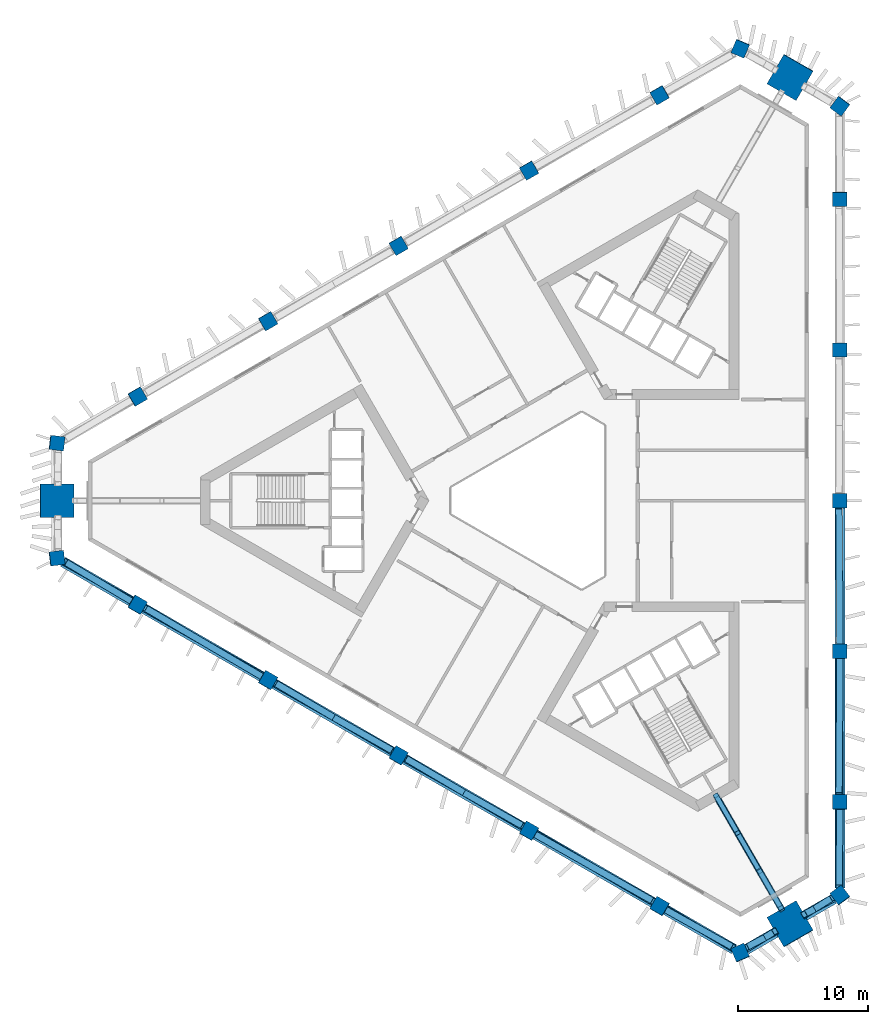
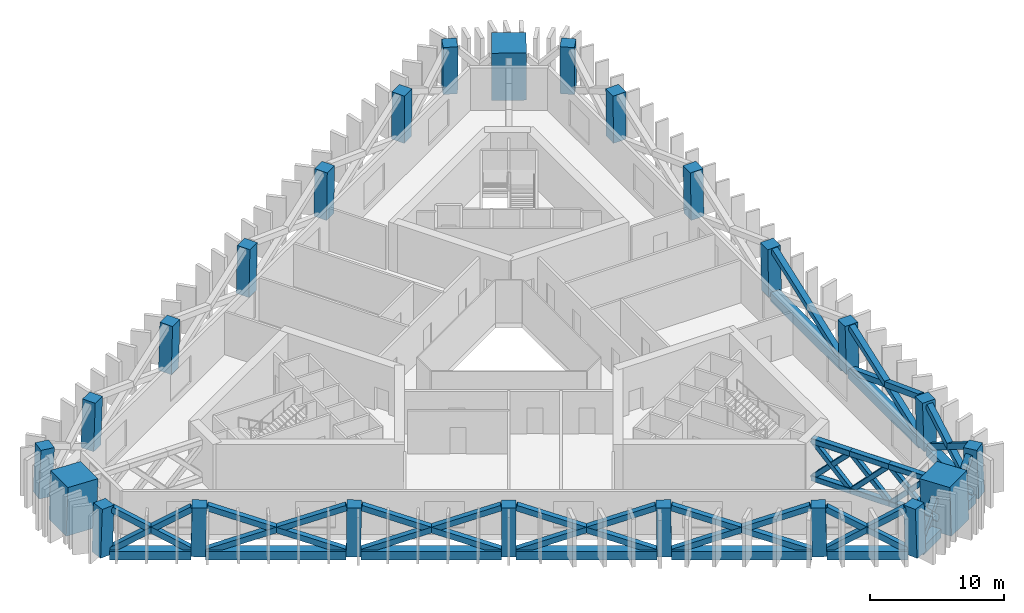
# One storey, part 1 of 9: 44 members, 24 columns.
"""IFC4 building model written with IfcOpenShell, lengths in metres."""

from ifc_helpers import new_model, si_unit, direction, frame, origin, origin_2d, place, context, subcontext, project, spatial, rectangle, hollow_rectangle, extrude, material, material_profile, profile_set, type_object, element, save


model = new_model("IFC4")

# Units and contexts
model_context = context("Model", 3, precision=1e-05, world=origin(), true_north=direction((0.0, 1.0)))
body_context = subcontext(model_context, "Body", "Model", "MODEL_VIEW")
ifc_project = project(units=[si_unit("LENGTHUNIT", "METRE"), si_unit("AREAUNIT", "SQUARE_METRE"), si_unit("VOLUMEUNIT", "CUBIC_METRE"), si_unit("PLANEANGLEUNIT", "RADIAN"), si_unit("MASSUNIT", "GRAM", prefix="KILO")], contexts=[model_context])

# Site, building, storey
site_placement = place(None, origin())
site = spatial("IfcSite", under=ifc_project, at=site_placement, CompositionType="ELEMENT")
building_placement = place(site_placement, origin())
building = spatial("IfcBuilding", under=site, at=building_placement, Name="Jabali Bay Hotel Tower and Convention Centre", CompositionType="ELEMENT")
storey_placement = place(building_placement, frame((0.0, 0.0, 98.0)))
storey = spatial("IfcBuildingStorey", under=building, at=storey_placement, Name="L23", CompositionType="ELEMENT", Elevation=98.0)

# Columns
ifc_material_1 = material(Name="Concrete C60", Category="concrete")
ifc_material_profile_1 = material_profile(ifc_material_1, rectangle(XDim=1.10009765625, YDim=1.10009765625, at=origin_2d()), Name="Frame column 1100")
ifc_profile_set_1 = profile_set([ifc_material_profile_1], Name="Concrete C60")
column_type_1 = type_object("IfcColumnType", Name="Frame column 1100", PredefinedType="COLUMN", material=ifc_profile_set_1)
column_1_placement = place(storey_placement, frame((83.779052734375, 111.25390625, 0.0), z_axis=(-0.00837502794, -0.028175590684, 0.999567904145), x_axis=(0.865765950858, 0.499993595999, 0.021347653165)))
element("IfcColumn", 1, at=column_1_placement, inside=storey, type_object=column_type_1, Name="FC2 F1.1 L23", PredefinedType="COLUMN", context=body_context, shape_type="SweptSolid", body=[
    extrude(rectangle(XDim=1.10009765625, YDim=1.10009765625, at=origin_2d()), origin(), (0.0, 0.0, 1.0), 4.40185546875),
])
column_2_placement = place(storey_placement, frame((73.72021484375, 105.446533203125, 0.0), z_axis=(0.000832098362, -0.022854968331, 0.999738444812), x_axis=(0.866635753138, 0.498826982969, 0.01068234273)))
element("IfcColumn", 2, at=column_2_placement, inside=storey, type_object=column_type_1, Name="FC2 F1.2 L23", PredefinedType="COLUMN", context=body_context, shape_type="SweptSolid", body=[
    extrude(rectangle(XDim=1.10009765625, YDim=1.10009765625, at=origin_2d()), origin(), (0.0, 0.0, 1.0), 4.401123046875),
])
column_3_placement = place(storey_placement, frame((63.661376953125, 99.638916015625, 0.0), z_axis=(0.010096711238, -0.017475077143, 0.999796318307), x_axis=(0.865862358291, 0.500282296803, 1.09549e-07)))
element("IfcColumn", 3, at=column_3_placement, inside=storey, type_object=column_type_1, Name="FC2 F1.3 L23", PredefinedType="COLUMN", context=body_context, shape_type="SweptSolid", body=[
    extrude(rectangle(XDim=1.10009765625, YDim=1.10009765625, at=origin_2d()), origin(), (0.0, 0.0, 1.0), 4.40087890625),
])
column_4_placement = place(storey_placement, frame((53.6025390625, 93.83154296875, 0.0), z_axis=(0.019360161379, -0.012148639948, 0.999738763227), x_axis=(-0.500505187473, 0.865497615784, 0.020209759643)))
element("IfcColumn", 4, at=column_4_placement, inside=storey, type_object=column_type_1, Name="FC2 F1.4 L23", PredefinedType="COLUMN", context=body_context, shape_type="SweptSolid", body=[
    extrude(rectangle(XDim=1.10009765625, YDim=1.10009765625, at=origin_2d()), origin(), (0.0, 0.0, 1.0), 4.401123046875),
])
for number, where, z_axis, x_axis, name in (
    (5, (43.5439453125, 88.024169921875, 0.0), (0.028563859463, -0.006822047988, 0.999568689783), (-0.499616168362, 0.866011629978, 0.020187646054), "FC2 F1.5 L23"),
    (6, (43.5439453125, 71.975830078125, 0.0), (0.028563859463, 0.006822047988, 0.999568689783), (-0.865775831404, 0.499977315889, 0.021328229016), "FC2 F2.1 L23"),
):
    element("IfcColumn", number, at=place(storey_placement, frame(where, z_axis=z_axis, x_axis=x_axis)), inside=storey, type_object=column_type_1, Name=name, PredefinedType="COLUMN", context=body_context, shape_type="SweptSolid", body=[
        extrude(rectangle(XDim=1.10009765625, YDim=1.10009765625, at=origin_2d()), origin(), (0.0, 0.0, 1.0), 4.40185546875),
    ])
column_5_placement = place(storey_placement, frame((53.6025390625, 66.16845703125, 0.0), z_axis=(0.019360161379, 0.012148639948, 0.999738763227), x_axis=(-0.865517037073, 0.500765701322, 0.0106757162)))
element("IfcColumn", 7, at=column_5_placement, inside=storey, type_object=column_type_1, Name="FC2 F2.2 L23", PredefinedType="COLUMN", context=body_context, shape_type="SweptSolid", body=[
    extrude(rectangle(XDim=1.10009765625, YDim=1.10009765625, at=origin_2d()), origin(), (0.0, 0.0, 1.0), 4.401123046875),
])
column_6_placement = place(storey_placement, frame((63.661376953125, 60.361083984375, 0.0), z_axis=(0.010096711238, 0.017475077143, 0.999796318307), x_axis=(-0.500180400372, -0.865685996874, 0.020182217394)))
element("IfcColumn", 8, at=column_6_placement, inside=storey, type_object=column_type_1, Name="FC2 F2.3 L23", PredefinedType="COLUMN", context=body_context, shape_type="SweptSolid", body=[
    extrude(rectangle(XDim=1.10009765625, YDim=1.10009765625, at=origin_2d()), origin(), (0.0, 0.0, 1.0), 4.40087890625),
])
column_7_placement = place(storey_placement, frame((73.72021484375, 54.553466796875, 0.0), z_axis=(0.000832098362, 0.022854968331, 0.999738444812), x_axis=(-0.498940656788, -0.8664001913, 0.020222005808)))
element("IfcColumn", 9, at=column_7_placement, inside=storey, type_object=column_type_1, Name="FC2 F2.4 L23", PredefinedType="COLUMN", context=body_context, shape_type="SweptSolid", body=[
    extrude(rectangle(XDim=1.10009765625, YDim=1.10009765625, at=origin_2d()), origin(), (0.0, 0.0, 1.0), 4.401123046875),
])
for number, where, z_axis, x_axis, name in (
    (10, (83.779052734375, 48.74609375, 0.0), (-0.00837502794, 0.028175590684, 0.999567904145), (-0.500379033576, -0.865570644171, 0.020206006723), "FC2 F2.5 L23"),
    (11, (97.67724609375, 56.770263671875, 0.0), (-0.020188837424, 0.021298114205, 0.99956930784), (0.000520419206, -0.999772717632, 0.021312959503), "FC2 F0.1 L23"),
):
    element("IfcColumn", number, at=place(storey_placement, frame(where, z_axis=z_axis, x_axis=x_axis)), inside=storey, type_object=column_type_1, Name=name, PredefinedType="COLUMN", context=body_context, shape_type="SweptSolid", body=[
        extrude(rectangle(XDim=1.10009765625, YDim=1.10009765625, at=origin_2d()), origin(), (0.0, 0.0, 1.0), 4.40185546875),
    ])
column_8_placement = place(storey_placement, frame((97.67724609375, 68.38525390625, 0.0), z_axis=(-0.020192272495, 0.010650869008, 0.999739381599), x_axis=(0.000491791612, -0.999943027966, 0.010662971563)))
element("IfcColumn", 12, at=column_8_placement, inside=storey, type_object=column_type_1, Name="FC2 F0.2 L23", PredefinedType="COLUMN", context=body_context, shape_type="SweptSolid", body=[
    extrude(rectangle(XDim=1.10009765625, YDim=1.10009765625, at=origin_2d()), origin(), (0.0, 0.0, 1.0), 4.401123046875),
])
column_9_placement = place(storey_placement, frame((97.67724609375, 80.0, 0.0), z_axis=(-0.020193417908, 0.0, 0.999796092147), x_axis=(0.0, -1.0, 0.0)))
element("IfcColumn", 13, at=column_9_placement, inside=storey, type_object=column_type_1, Name="FC2 F0.3 L23", PredefinedType="COLUMN", context=body_context, shape_type="SweptSolid", body=[
    extrude(rectangle(XDim=1.10009765625, YDim=1.10009765625, at=origin_2d()), origin(), (0.0, 0.0, 1.0), 4.40087890625),
])
column_10_placement = place(storey_placement, frame((97.67724609375, 91.61474609375, 0.0), z_axis=(-0.020192272495, -0.010650869008, 0.999739381599), x_axis=(0.999795994327, -0.000706973069, 0.020185884092)))
element("IfcColumn", 14, at=column_10_placement, inside=storey, type_object=column_type_1, Name="FC2 F0.4 L23", PredefinedType="COLUMN", context=body_context, shape_type="SweptSolid", body=[
    extrude(rectangle(XDim=1.10009765625, YDim=1.10009765625, at=origin_2d()), origin(), (0.0, 0.0, 1.0), 4.401123046875),
])
column_11_placement = place(storey_placement, frame((97.67724609375, 103.229736328125, 0.0), z_axis=(-0.020188837424, -0.021298114205, 0.99956930784), x_axis=(0.999796049206, -0.00095047894, 0.020173164909)))
element("IfcColumn", 15, at=column_11_placement, inside=storey, type_object=column_type_1, Name="FC2 F0.5 L23", PredefinedType="COLUMN", context=body_context, shape_type="SweptSolid", body=[
    extrude(rectangle(XDim=1.10009765625, YDim=1.10009765625, at=origin_2d()), origin(), (0.0, 0.0, 1.0), 4.40185546875),
])
for number, where, z_axis, x_axis, name in (
    (16, (97.67724609375, 49.5888671875, 0.0), (-0.020184923639, 0.029001964459, 0.999375532478), (-0.801547401216, -0.597930106059, 0.001162700667), "FC2 V0 L23"),
    (17, (97.67724609375, 110.4111328125, 0.0), (-0.020184923639, -0.029001964459, 0.999375532478), (0.597590438731, 0.801023391872, 0.035315622775), "FC2 V1 L23"),
    (18, (89.998291015625, 114.844482421875, 0.0), (-0.015027805225, -0.031941017747, 0.999376774022), (0.91836352509, -0.395736132679, 0.001161497219), "FC2 V2 L23"),
    (19, (37.324462890625, 84.433349609375, 0.0), (0.035212709707, -0.002939013566, 0.999375518649), (-0.992636858335, 0.11586563907, 0.035316018417), "FC2 V3 L23"),
    (20, (37.324462890625, 75.566650390625, 0.0), (0.035212709707, 0.002939013566, 0.999375518649), (-0.115897077396, 0.993260547833, 0.001162569921), "FC2 V4 L23"),
    (21, (89.998291015625, 45.155517578125, 0.0), (-0.015027805225, 0.031941017747, 0.999376774022), (0.395452400238, -0.917808631839, 0.035280511175), "FC2 V5 L23"),
):
    element("IfcColumn", number, at=place(storey_placement, frame(where, z_axis=z_axis, x_axis=x_axis)), inside=storey, type_object=column_type_1, Name=name, PredefinedType="COLUMN", context=body_context, shape_type="SweptSolid", body=[
        extrude(rectangle(XDim=1.10009765625, YDim=1.10009765625, at=origin_2d()), origin(), (0.0, 0.0, 1.0), 4.402587890625),
    ])
ifc_material_2 = material(Name="Concrete C70", Category="concrete")
ifc_material_profile_2 = material_profile(ifc_material_2, rectangle(XDim=2.60009765625, YDim=2.60009765625, at=origin_2d()), Name="Mega column 2600")
ifc_profile_set_2 = profile_set([ifc_material_profile_2], Name="Concrete C70")
column_type_2 = type_object("IfcColumnType", Name="Mega column 2600", PredefinedType="COLUMN", material=ifc_profile_set_2)
for number, where, z_axis, x_axis, name in (
    (22, (93.837646484375, 112.6279296875, 0.0), (-0.01757871061, -0.030499340175, 0.999380197514), (0.866397254159, -0.499355382454, 1.37011e-07), "MC2 M1 L23"),
    (23, (37.324462890625, 80.0, 0.0), (0.035212861788, 0.0, 0.99937983488), (0.0, 1.0, 0.0), "MC2 M0 L23"),
    (24, (93.837646484375, 47.3720703125, 0.0), (-0.01757871061, 0.030499340175, 0.999380197514), (0.499045876567, -0.865860261395, 0.035202568341), "MC2 M2 L23"),
):
    element("IfcColumn", number, at=place(storey_placement, frame(where, z_axis=z_axis, x_axis=x_axis)), inside=storey, type_object=column_type_2, Name=name, PredefinedType="COLUMN", context=body_context, shape_type="SweptSolid", body=[
        extrude(rectangle(XDim=2.60009765625, YDim=2.60009765625, at=origin_2d()), origin(), (0.0, 0.0, 1.0), 4.402587890625),
    ])

# Members
ifc_material_3 = material(Name="Steel Q420GJC", Category="steel")
ifc_material_profile_3 = material_profile(ifc_material_3, hollow_rectangle(XDim=0.5, YDim=0.5, WallThickness=0.030029296875, at=origin_2d()), Name="Belt brace 500x500x30")
ifc_profile_set_3 = profile_set([ifc_material_profile_3], Name="Steel Q420GJC")
member_type_1 = type_object("IfcMemberType", Name="Belt brace 500x500x30", PredefinedType="BRACE", material=ifc_profile_set_3)
member_1_placement = place(storey_placement, frame((37.80419921875, 75.29736328125, 0.33251953125), z_axis=(0.746228180201, -0.418746991963, 0.517488608373), x_axis=(0.489367580593, 0.872077617569, 0.0)))
element("IfcMember", 25, at=member_1_placement, inside=storey, type_object=member_type_1, Name="Belt brace T2 V4-F2.1 x1", PredefinedType="BRACE", context=body_context, shape_type="SweptSolid", body=[
    extrude(hollow_rectangle(XDim=0.5, YDim=0.5, WallThickness=0.030029296875, at=origin_2d()), origin(), (0.0, 0.0, 1.0), 7.21728515625),
])
member_2_placement = place(storey_placement, frame((43.071044921875, 72.2568359375, 0.343017578125), z_axis=(-0.729399028165, 0.433478579173, 0.529219594412), x_axis=(-0.510885438938, -0.859648805199, 0.0)))
element("IfcMember", 26, at=member_2_placement, inside=storey, type_object=member_type_1, Name="Belt brace T2 V4-F2.1 x2", PredefinedType="BRACE", context=body_context, shape_type="SweptSolid", body=[
    extrude(hollow_rectangle(XDim=0.5, YDim=0.5, WallThickness=0.030029296875, at=origin_2d()), origin(), (0.0, 0.0, 1.0), 7.017578125),
])
member_3_placement = place(storey_placement, frame((44.022216796875, 71.70458984375, 0.20751953125), z_axis=(0.813809243817, -0.461641565732, 0.352989489173), x_axis=(0.49340327292, 0.869800672724, 0.0)))
element("IfcMember", 27, at=member_3_placement, inside=storey, type_object=member_type_1, Name="Belt brace T2 F2.1-F2.2 x1", PredefinedType="BRACE", context=body_context, shape_type="SweptSolid", body=[
    extrude(hollow_rectangle(XDim=0.5, YDim=0.5, WallThickness=0.030029296875, at=origin_2d()), origin(), (0.0, 0.0, 1.0), 11.288818359375),
])
member_4_placement = place(storey_placement, frame((53.12841796875, 66.447021484375, 0.2099609375), z_axis=(-0.805399021155, 0.473334149331, 0.356773317107), x_axis=(-0.506678137464, -0.862135293916, 0.0)))
element("IfcMember", 28, at=member_4_placement, inside=storey, type_object=member_type_1, Name="Belt brace T2 F2.1-F2.2 x2", PredefinedType="BRACE", context=body_context, shape_type="SweptSolid", body=[
    extrude(hollow_rectangle(XDim=0.5, YDim=0.5, WallThickness=0.030029296875, at=origin_2d()), origin(), (0.0, 0.0, 1.0), 11.155517578125),
])
member_5_placement = place(storey_placement, frame((54.0810546875, 65.89697265625, 0.208251953125), z_axis=(0.813419956754, -0.461359189117, 0.354253683921), x_axis=(0.493353477364, 0.869828917876, 0.0)))
element("IfcMember", 29, at=member_5_placement, inside=storey, type_object=member_type_1, Name="Belt brace T2 F2.2-F2.3 x1", PredefinedType="BRACE", context=body_context, shape_type="SweptSolid", body=[
    extrude(hollow_rectangle(XDim=0.5, YDim=0.5, WallThickness=0.030029296875, at=origin_2d()), origin(), (0.0, 0.0, 1.0), 11.244384765625),
])
for number, where, z_axis, x_axis, name in (
    (30, (63.187255859375, 60.6396484375, 0.209228515625), (-0.805835633176, 0.473543964919, 0.355506744792), (-0.506640934774, -0.86215715691, 0.0), "Belt brace T2 F2.2-F2.3 x2"),
    (31, (64.139892578125, 60.089599609375, 0.209228515625), (0.813016816148, -0.461102627878, 0.355510932637), (0.49333088762, 0.869841730041, 0.0), "Belt brace T2 F2.3-F2.4 x1"),
):
    element("IfcMember", number, at=place(storey_placement, frame(where, z_axis=z_axis, x_axis=x_axis)), inside=storey, type_object=member_type_1, Name=name, PredefinedType="BRACE", context=body_context, shape_type="SweptSolid", body=[
        extrude(hollow_rectangle(XDim=0.5, YDim=0.5, WallThickness=0.030029296875, at=origin_2d()), origin(), (0.0, 0.0, 1.0), 11.199951171875),
    ])
member_6_placement = place(storey_placement, frame((73.24609375, 54.832275390625, 0.208251953125), z_axis=(-0.806267320447, 0.473751257093, 0.354249565111), x_axis=(-0.5066040639, -0.862178822774, 0.0)))
element("IfcMember", 32, at=member_6_placement, inside=storey, type_object=member_type_1, Name="Belt brace T2 F2.3-F2.4 x2", PredefinedType="BRACE", context=body_context, shape_type="SweptSolid", body=[
    extrude(hollow_rectangle(XDim=0.5, YDim=0.5, WallThickness=0.030029296875, at=origin_2d()), origin(), (0.0, 0.0, 1.0), 11.24462890625),
])
member_7_placement = place(storey_placement, frame((74.198486328125, 54.2822265625, 0.2099609375), z_axis=(0.812616399817, -0.460834976999, 0.356771230234), x_axis=(0.49329804104, 0.869860358164, 0.0)))
element("IfcMember", 33, at=member_7_placement, inside=storey, type_object=member_type_1, Name="Belt brace T2 F2.4-F2.5 x1", PredefinedType="BRACE", context=body_context, shape_type="SweptSolid", body=[
    extrude(hollow_rectangle(XDim=0.5, YDim=0.5, WallThickness=0.030029296875, at=origin_2d()), origin(), (0.0, 0.0, 1.0), 11.155517578125),
])
member_8_placement = place(storey_placement, frame((83.3046875, 49.024658203125, 0.20751953125), z_axis=(-0.806685208431, 0.473976220589, 0.352995066274), x_axis=(-0.506587711798, -0.862188430829, 0.0)))
element("IfcMember", 34, at=member_8_placement, inside=storey, type_object=member_type_1, Name="Belt brace T2 F2.4-F2.5 x2", PredefinedType="BRACE", context=body_context, shape_type="SweptSolid", body=[
    extrude(hollow_rectangle(XDim=0.5, YDim=0.5, WallThickness=0.030029296875, at=origin_2d()), origin(), (0.0, 0.0, 1.0), 11.288818359375),
])
member_9_placement = place(storey_placement, frame((84.2587890625, 48.47705078125, 0.343017578125), z_axis=(0.74009327792, -0.414943474157, 0.529229490138), x_axis=(0.489044052531, 0.872259086903, 0.0)))
element("IfcMember", 35, at=member_9_placement, inside=storey, type_object=member_type_1, Name="Belt brace T2 F2.5-V5 x1", PredefinedType="BRACE", context=body_context, shape_type="SweptSolid", body=[
    extrude(hollow_rectangle(XDim=0.5, YDim=0.5, WallThickness=0.030029296875, at=origin_2d()), origin(), (0.0, 0.0, 1.0), 7.017578125),
])
member_10_placement = place(storey_placement, frame((89.525390625, 45.436279296875, 0.33251953125), z_axis=(-0.735778033466, 0.436846008192, 0.517490338649), x_axis=(-0.510519573034, -0.859866132342, 0.0)))
element("IfcMember", 36, at=member_10_placement, inside=storey, type_object=member_type_1, Name="Belt brace T2 F2.5-V5 x2", PredefinedType="BRACE", context=body_context, shape_type="SweptSolid", body=[
    extrude(hollow_rectangle(XDim=0.5, YDim=0.5, WallThickness=0.030029296875, at=origin_2d()), origin(), (0.0, 0.0, 1.0), 7.21728515625),
])
member_11_placement = place(storey_placement, frame((90.464599609375, 45.44677734375, 0.54541015625), z_axis=(0.602075132587, 0.376271823928, 0.704219460992), x_axis=(-0.529973483014, 0.848014214092, 0.0)))
element("IfcMember", 37, at=member_11_placement, inside=storey, type_object=member_type_1, Name="Belt brace T2 V5-M2 x1", PredefinedType="BRACE", context=body_context, shape_type="SweptSolid", body=[
    extrude(hollow_rectangle(XDim=0.5, YDim=0.5, WallThickness=0.030029296875, at=origin_2d()), origin(), (0.0, 0.0, 1.0), 3.642578125),
])
for number, where, z_axis, x_axis, name in (
    (38, (92.689697265625, 46.761962890625, 1.293212890625), (-0.626019317748, -0.332719916783, 0.705263972412), (0.46931709896, -0.883029705403, 0.0), "Belt brace T2 V5-M2 x2"),
    (39, (94.940185546875, 48.061279296875, 1.293212890625), (0.601141554318, 0.375780743333, 0.705278430559), (-0.530067175291, 0.847955653132, 0.0), "Belt brace T2 M2-V0 x1"),
):
    element("IfcMember", number, at=place(storey_placement, frame(where, z_axis=z_axis, x_axis=x_axis)), inside=storey, type_object=member_type_1, Name=name, PredefinedType="BRACE", context=body_context, shape_type="SweptSolid", body=[
        extrude(hollow_rectangle(XDim=0.5, YDim=0.5, WallThickness=0.030029296875, at=origin_2d()), origin(), (0.0, 0.0, 1.0), 3.629150390625),
    ])
member_12_placement = place(storey_placement, frame((97.19140625, 49.33056640625, 0.54541015625), z_axis=(-0.626890697319, -0.33325142169, 0.704238271863), x_axis=(0.469392197542, -0.882989787532, 0.0)))
element("IfcMember", 40, at=member_12_placement, inside=storey, type_object=member_type_1, Name="Belt brace T2 M2-V0 x2", PredefinedType="BRACE", context=body_context, shape_type="SweptSolid", body=[
    extrude(hollow_rectangle(XDim=0.5, YDim=0.5, WallThickness=0.030029296875, at=origin_2d()), origin(), (0.0, 0.0, 1.0), 3.642578125),
])
member_13_placement = place(storey_placement, frame((97.67041015625, 50.138671875, 0.33251953125), z_axis=(-0.010452312266, 0.855635076937, 0.51747402281), x_axis=(-0.999925394818, -0.012214941569, 0.0)))
element("IfcMember", 41, at=member_13_placement, inside=storey, type_object=member_type_1, Name="Belt brace T2 V0-F0.1 x1", PredefinedType="BRACE", context=body_context, shape_type="SweptSolid", body=[
    extrude(hollow_rectangle(XDim=0.5, YDim=0.5, WallThickness=0.030029296875, at=origin_2d()), origin(), (0.0, 0.0, 1.0), 7.217529296875),
])
member_14_placement = place(storey_placement, frame((97.670166015625, 56.22021484375, 0.343017578125), z_axis=(-0.010680441844, -0.848416727185, 0.529221111819), x_axis=(0.999920772056, -0.012587676919, 0.0)))
element("IfcMember", 42, at=member_14_placement, inside=storey, type_object=member_type_1, Name="Belt brace T2 V0-F0.1 x2", PredefinedType="BRACE", context=body_context, shape_type="SweptSolid", body=[
    extrude(hollow_rectangle(XDim=0.5, YDim=0.5, WallThickness=0.030029296875, at=origin_2d()), origin(), (0.0, 0.0, 1.0), 7.017578125),
])
member_15_placement = place(storey_placement, frame((97.6728515625, 57.3203125, 0.20751953125), z_axis=(-0.007115230863, 0.935598791364, 0.352993307428), x_axis=(-0.999971083225, -0.007604782284, 0.0)))
element("IfcMember", 43, at=member_15_placement, inside=storey, type_object=member_type_1, Name="Belt brace T2 F0.1-F0.2 x1", PredefinedType="BRACE", context=body_context, shape_type="SweptSolid", body=[
    extrude(hollow_rectangle(XDim=0.5, YDim=0.5, WallThickness=0.030029296875, at=origin_2d()), origin(), (0.0, 0.0, 1.0), 11.288818359375),
])
member_16_placement = place(storey_placement, frame((97.6728515625, 67.835205078125, 0.2099609375), z_axis=(-0.007200188945, -0.934164331715, 0.356770456498), x_axis=(0.999970297577, -0.007707396694, 0.0)))
element("IfcMember", 44, at=member_16_placement, inside=storey, type_object=member_type_1, Name="Belt brace T2 F0.1-F0.2 x2", PredefinedType="BRACE", context=body_context, shape_type="SweptSolid", body=[
    extrude(hollow_rectangle(XDim=0.5, YDim=0.5, WallThickness=0.030029296875, at=origin_2d()), origin(), (0.0, 0.0, 1.0), 11.155517578125),
])
member_17_placement = place(storey_placement, frame((97.6728515625, 68.93505859375, 0.208251953125), z_axis=(-0.007143302858, 0.935121309423, 0.354255712567), x_axis=(-0.999970824842, -0.007638682147, 0.0)))
element("IfcMember", 45, at=member_17_placement, inside=storey, type_object=member_type_1, Name="Belt brace T2 F0.2-F0.3 x1", PredefinedType="BRACE", context=body_context, shape_type="SweptSolid", body=[
    extrude(hollow_rectangle(XDim=0.5, YDim=0.5, WallThickness=0.030029296875, at=origin_2d()), origin(), (0.0, 0.0, 1.0), 11.244384765625),
])
ifc_material_profile_4 = material_profile(ifc_material_3, hollow_rectangle(XDim=0.800048828125, YDim=0.800048828125, WallThickness=0.0400390625, at=origin_2d()), Name="Belt chord 800x800x40")
ifc_profile_set_4 = profile_set([ifc_material_profile_4], Name="Steel Q420GJC")
member_type_2 = type_object("IfcMemberType", Name="Belt chord 800x800x40", PredefinedType="CHORD", material=ifc_profile_set_4)
member_18_placement = place(storey_placement, frame((37.80078125, 75.29150390625, 0.0), z_axis=(0.866045869354, -0.499964550917, 0.0), x_axis=(0.499964550917, 0.866045869354, 0.0)))
element("IfcMember", 46, at=member_18_placement, inside=storey, type_object=member_type_2, Name="Belt chord T2 V4-F2.1", PredefinedType="CHORD", context=body_context, shape_type="SweptSolid", body=[
    extrude(hollow_rectangle(XDim=0.800048828125, YDim=0.800048828125, WallThickness=0.0400390625, at=origin_2d()), origin(), (0.0, 0.0, 1.0), 6.08154296875),
])
for number, where, z_axis, x_axis, name in (
    (47, (44.020263671875, 71.700927734375, 0.0), (0.866021258461, -0.500007179843, 0.0), (0.500007179843, 0.866021258461, 0.0), "Belt chord T2 F2.1-F2.2"),
    (48, (54.078857421875, 65.8935546875, 0.0), (0.866021258461, -0.500007179843, 0.0), (0.500007179843, 0.866021258461, 0.0), "Belt chord T2 F2.2-F2.3"),
    (49, (64.1376953125, 60.0859375, 0.0), (0.866031312339, -0.499989765943, 0.0), (0.499989765943, 0.866031312339, 0.0), "Belt chord T2 F2.3-F2.4"),
    (50, (74.196533203125, 54.278564453125, 0.0), (0.866031312339, -0.499989765943, 0.0), (0.499989765943, 0.866031312339, 0.0), "Belt chord T2 F2.4-F2.5"),
):
    element("IfcMember", number, at=place(storey_placement, frame(where, z_axis=z_axis, x_axis=x_axis)), inside=storey, type_object=member_type_2, Name=name, PredefinedType="CHORD", context=body_context, shape_type="SweptSolid", body=[
        extrude(hollow_rectangle(XDim=0.800048828125, YDim=0.800048828125, WallThickness=0.0400390625, at=origin_2d()), origin(), (0.0, 0.0, 1.0), 10.514892578125),
    ])
member_19_placement = place(storey_placement, frame((84.25537109375, 48.47119140625, 0.0), z_axis=(0.866018450419, -0.500012043388, 0.0), x_axis=(0.500012043388, 0.866018450419, 0.0)))
element("IfcMember", 51, at=member_19_placement, inside=storey, type_object=member_type_2, Name="Belt chord T2 F2.5-V5", PredefinedType="CHORD", context=body_context, shape_type="SweptSolid", body=[
    extrude(hollow_rectangle(XDim=0.800048828125, YDim=0.800048828125, WallThickness=0.0400390625, at=origin_2d()), origin(), (0.0, 0.0, 1.0), 6.081298828125),
])
member_20_placement = place(storey_placement, frame((90.474609375, 45.430419921875, 0.0), z_axis=(0.866018769109, 0.500011491418, 0.0), x_axis=(-0.500011491418, 0.866018769109, 0.0)))
element("IfcMember", 52, at=member_20_placement, inside=storey, type_object=member_type_2, Name="Belt chord T2 V5-M2", PredefinedType="CHORD", context=body_context, shape_type="SweptSolid", body=[
    extrude(hollow_rectangle(XDim=0.800048828125, YDim=0.800048828125, WallThickness=0.0400390625, at=origin_2d()), origin(), (0.0, 0.0, 1.0), 2.58349609375),
])
member_21_placement = place(storey_placement, frame((94.963623046875, 48.022216796875, 0.0), z_axis=(0.866059689451, 0.499940610781, 0.0), x_axis=(-0.499940610781, 0.866059689451, 0.0)))
element("IfcMember", 53, at=member_21_placement, inside=storey, type_object=member_type_2, Name="Belt chord T2 M2-V0", PredefinedType="CHORD", context=body_context, shape_type="SweptSolid", body=[
    extrude(hollow_rectangle(XDim=0.800048828125, YDim=0.800048828125, WallThickness=0.0400390625, at=origin_2d()), origin(), (0.0, 0.0, 1.0), 2.583251953125),
])
member_22_placement = place(storey_placement, frame((97.67724609375, 50.138916015625, 0.0), z_axis=(0.0, 1.0, 0.0), x_axis=(-1.0, 0.0, 0.0)))
element("IfcMember", 54, at=member_22_placement, inside=storey, type_object=member_type_2, Name="Belt chord T2 V0-F0.1", PredefinedType="CHORD", context=body_context, shape_type="SweptSolid", body=[
    extrude(hollow_rectangle(XDim=0.800048828125, YDim=0.800048828125, WallThickness=0.0400390625, at=origin_2d()), origin(), (0.0, 0.0, 1.0), 6.081298828125),
])
for number, where, z_axis, x_axis, name in (
    (55, (97.67724609375, 57.3203125, 0.0), (0.0, 1.0, 0.0), (-1.0, 0.0, 0.0), "Belt chord T2 F0.1-F0.2"),
    (56, (97.67724609375, 68.93505859375, 0.0), (0.0, 1.0, 0.0), (-1.0, 0.0, 0.0), "Belt chord T2 F0.2-F0.3"),
):
    element("IfcMember", number, at=place(storey_placement, frame(where, z_axis=z_axis, x_axis=x_axis)), inside=storey, type_object=member_type_2, Name=name, PredefinedType="CHORD", context=body_context, shape_type="SweptSolid", body=[
        extrude(hollow_rectangle(XDim=0.800048828125, YDim=0.800048828125, WallThickness=0.0400390625, at=origin_2d()), origin(), (0.0, 0.0, 1.0), 10.514892578125),
    ])
ifc_material_profile_5 = material_profile(ifc_material_3, hollow_rectangle(XDim=0.39990234375, YDim=0.39990234375, WallThickness=0.011962890625, InnerFilletRadius=0.01806640625, OuterFilletRadius=0.030029296875, at=origin_2d()), Name="Outrigger brace 400x400x12")
ifc_profile_set_5 = profile_set([ifc_material_profile_5], Name="Steel Q420GJC")
member_type_3 = type_object("IfcMemberType", Name="Outrigger brace 400x400x12", PredefinedType="BRACE", material=ifc_profile_set_5)
member_23_placement = place(storey_placement, frame((88.114013671875, 57.285888671875, 0.25), z_axis=(0.350391405686, -0.606884061865, 0.713384607541), x_axis=(0.866021245731, 0.500007201891, 0.0)))
element("IfcMember", 57, at=member_23_placement, inside=storey, type_object=member_type_3, Name="Outrigger brace T2 3.1x1", PredefinedType="BRACE", context=body_context, shape_type="SweptSolid", body=[
    extrude(hollow_rectangle(XDim=0.39990234375, YDim=0.39990234375, WallThickness=0.011962890625, InnerFilletRadius=0.01806640625, OuterFilletRadius=0.030029296875, at=origin_2d()), origin(), (0.0, 0.0, 1.0), 4.765869140625),
])
member_24_placement = place(storey_placement, frame((89.8037109375, 54.359130859375, 0.25), z_axis=(-0.352477035068, 0.610532393642, 0.709232074897), x_axis=(-0.86603400694, -0.499985098601, 0.0)))
element("IfcMember", 58, at=member_24_placement, inside=storey, type_object=member_type_3, Name="Outrigger brace T2 3.1x2", PredefinedType="BRACE", context=body_context, shape_type="SweptSolid", body=[
    extrude(hollow_rectangle(XDim=0.39990234375, YDim=0.39990234375, WallThickness=0.011962890625, InnerFilletRadius=0.01806640625, OuterFilletRadius=0.030029296875, at=origin_2d()), origin(), (0.0, 0.0, 1.0), 4.793701171875),
])
member_25_placement = place(storey_placement, frame((89.8037109375, 54.359130859375, 0.25), z_axis=(0.34823438345, -0.603149372341, 0.717595741924), x_axis=(0.866021716278, 0.500006386895, 0.0)))
element("IfcMember", 59, at=member_25_placement, inside=storey, type_object=member_type_3, Name="Outrigger brace T2 3.2x1", PredefinedType="BRACE", context=body_context, shape_type="SweptSolid", body=[
    extrude(hollow_rectangle(XDim=0.39990234375, YDim=0.39990234375, WallThickness=0.011962890625, InnerFilletRadius=0.01806640625, OuterFilletRadius=0.030029296875, at=origin_2d()), origin(), (0.0, 0.0, 1.0), 4.73779296875),
])
member_26_placement = place(storey_placement, frame((91.49365234375, 51.432373046875, 0.25), z_axis=(-0.35457063153, 0.614106410085, 0.705090763199), x_axis=(-0.866015553834, -0.500017060227, 0.0)))
element("IfcMember", 60, at=member_26_placement, inside=storey, type_object=member_type_3, Name="Outrigger brace T2 3.2x2", PredefinedType="BRACE", context=body_context, shape_type="SweptSolid", body=[
    extrude(hollow_rectangle(XDim=0.39990234375, YDim=0.39990234375, WallThickness=0.011962890625, InnerFilletRadius=0.01806640625, OuterFilletRadius=0.030029296875, at=origin_2d()), origin(), (0.0, 0.0, 1.0), 4.822021484375),
])
member_27_placement = place(storey_placement, frame((91.49365234375, 51.432373046875, 0.25), z_axis=(0.346038946325, -0.599348163025, 0.721830192708), x_axis=(0.866022198381, 0.50000555188, 0.0)))
element("IfcMember", 61, at=member_27_placement, inside=storey, type_object=member_type_3, Name="Outrigger brace T2 3.3x1", PredefinedType="BRACE", context=body_context, shape_type="SweptSolid", body=[
    extrude(hollow_rectangle(XDim=0.39990234375, YDim=0.39990234375, WallThickness=0.011962890625, InnerFilletRadius=0.01806640625, OuterFilletRadius=0.030029296875, at=origin_2d()), origin(), (0.0, 0.0, 1.0), 4.710205078125),
])
member_28_placement = place(storey_placement, frame((93.183349609375, 48.505615234375, 0.25), z_axis=(-0.356616810986, 0.617649243134, 0.700952111473), x_axis=(-0.866015170855, -0.500017723536, 0.0)))
element("IfcMember", 62, at=member_28_placement, inside=storey, type_object=member_type_3, Name="Outrigger brace T2 3.3x2", PredefinedType="BRACE", context=body_context, shape_type="SweptSolid", body=[
    extrude(hollow_rectangle(XDim=0.39990234375, YDim=0.39990234375, WallThickness=0.011962890625, InnerFilletRadius=0.01806640625, OuterFilletRadius=0.030029296875, at=origin_2d()), origin(), (0.0, 0.0, 1.0), 4.850341796875),
])
ifc_material_profile_6 = material_profile(ifc_material_3, hollow_rectangle(XDim=0.5, YDim=0.5, WallThickness=0.01611328125, InnerFilletRadius=0.02392578125, OuterFilletRadius=0.0400390625, at=origin_2d()), Name="Outrigger chord 500x500x16")
ifc_profile_set_6 = profile_set([ifc_material_profile_6], Name="Steel Q420GJC")
member_type_4 = type_object("IfcMemberType", Name="Outrigger chord 500x500x16", PredefinedType="CHORD", material=ifc_profile_set_6)
member_29_placement = place(storey_placement, frame((88.114013671875, 57.285888671875, 0.25), z_axis=(0.499985098601, -0.86603400694, 0.0), x_axis=(0.86603400694, 0.499985098601, 0.0)))
element("IfcMember", 63, at=member_29_placement, inside=storey, type_object=member_type_4, Name="Outrigger chord T2 3.lo1", PredefinedType="CHORD", context=body_context, shape_type="SweptSolid", body=[
    extrude(hollow_rectangle(XDim=0.5, YDim=0.5, WallThickness=0.01611328125, InnerFilletRadius=0.02392578125, OuterFilletRadius=0.0400390625, at=origin_2d()), origin(), (0.0, 0.0, 1.0), 3.37939453125),
])
member_30_placement = place(storey_placement, frame((89.8037109375, 54.359130859375, 0.25), z_axis=(0.500039278049, -0.866002725405, 0.0), x_axis=(0.866002725405, 0.500039278049, 0.0)))
element("IfcMember", 64, at=member_30_placement, inside=storey, type_object=member_type_4, Name="Outrigger chord T2 3.lo2", PredefinedType="CHORD", context=body_context, shape_type="SweptSolid", body=[
    extrude(hollow_rectangle(XDim=0.5, YDim=0.5, WallThickness=0.01611328125, InnerFilletRadius=0.02392578125, OuterFilletRadius=0.0400390625, at=origin_2d()), origin(), (0.0, 0.0, 1.0), 3.379638671875),
])
member_31_placement = place(storey_placement, frame((91.49365234375, 51.432373046875, 0.25), z_axis=(0.499985098601, -0.86603400694, 0.0), x_axis=(0.86603400694, 0.499985098601, 0.0)))
element("IfcMember", 65, at=member_31_placement, inside=storey, type_object=member_type_4, Name="Outrigger chord T2 3.lo3", PredefinedType="CHORD", context=body_context, shape_type="SweptSolid", body=[
    extrude(hollow_rectangle(XDim=0.5, YDim=0.5, WallThickness=0.01611328125, InnerFilletRadius=0.02392578125, OuterFilletRadius=0.0400390625, at=origin_2d()), origin(), (0.0, 0.0, 1.0), 3.37939453125),
])
member_32_placement = place(storey_placement, frame((88.114013671875, 57.285888671875, 3.64990234375), z_axis=(0.500007201891, -0.866021245731, 0.0), x_axis=(0.866021245731, 0.500007201891, 0.0)))
element("IfcMember", 66, at=member_32_placement, inside=storey, type_object=member_type_4, Name="Outrigger chord T2 3.hi1", PredefinedType="CHORD", context=body_context, shape_type="SweptSolid", body=[
    extrude(hollow_rectangle(XDim=0.5, YDim=0.5, WallThickness=0.01611328125, InnerFilletRadius=0.02392578125, OuterFilletRadius=0.0400390625, at=origin_2d()), origin(), (0.0, 0.0, 1.0), 3.33984375),
])
member_33_placement = place(storey_placement, frame((89.783935546875, 54.3935546875, 3.64990234375), z_axis=(0.499984028308, -0.866034624849, 0.0), x_axis=(0.866034624849, 0.499984028308, 0.0)))
element("IfcMember", 67, at=member_33_placement, inside=storey, type_object=member_type_4, Name="Outrigger chord T2 3.hi2", PredefinedType="CHORD", context=body_context, shape_type="SweptSolid", body=[
    extrude(hollow_rectangle(XDim=0.5, YDim=0.5, WallThickness=0.01611328125, InnerFilletRadius=0.02392578125, OuterFilletRadius=0.0400390625, at=origin_2d()), origin(), (0.0, 0.0, 1.0), 3.33935546875),
])
member_34_placement = place(storey_placement, frame((91.45361328125, 51.50146484375, 3.64990234375), z_axis=(0.500038857296, -0.866002968352, 0.0), x_axis=(0.866002968352, 0.500038857296, 0.0)))
element("IfcMember", 68, at=member_34_placement, inside=storey, type_object=member_type_4, Name="Outrigger chord T2 3.hi3", PredefinedType="CHORD", context=body_context, shape_type="SweptSolid", body=[
    extrude(hollow_rectangle(XDim=0.5, YDim=0.5, WallThickness=0.01611328125, InnerFilletRadius=0.02392578125, OuterFilletRadius=0.0400390625, at=origin_2d()), origin(), (0.0, 0.0, 1.0), 3.339599609375),
])

save(model, "model.ifc")
